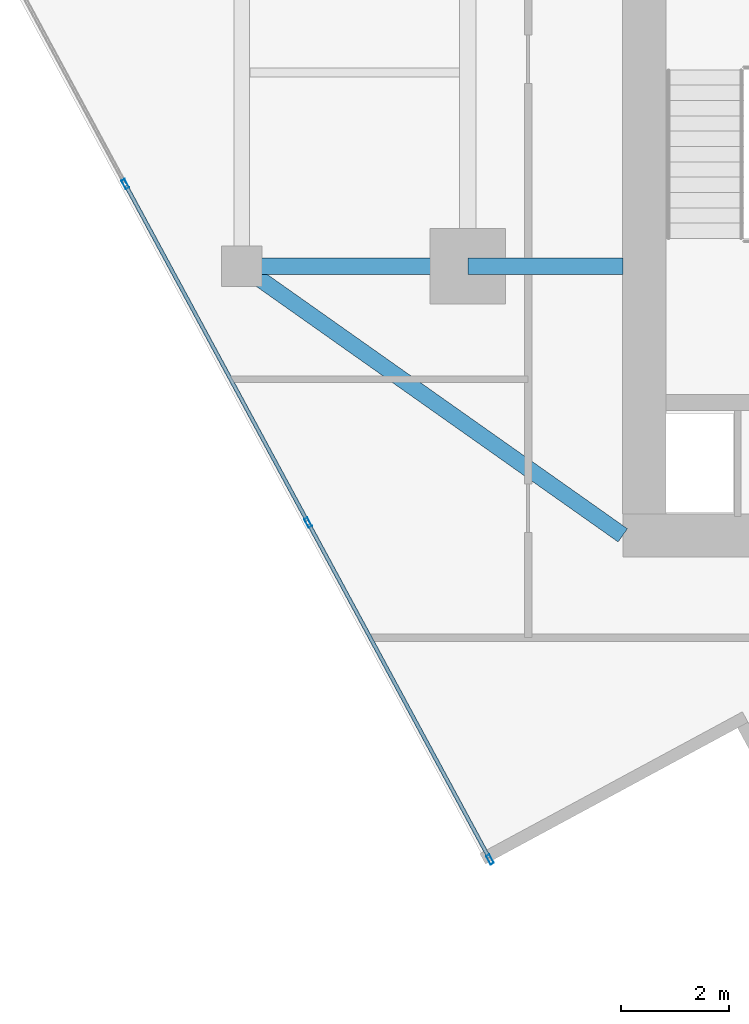
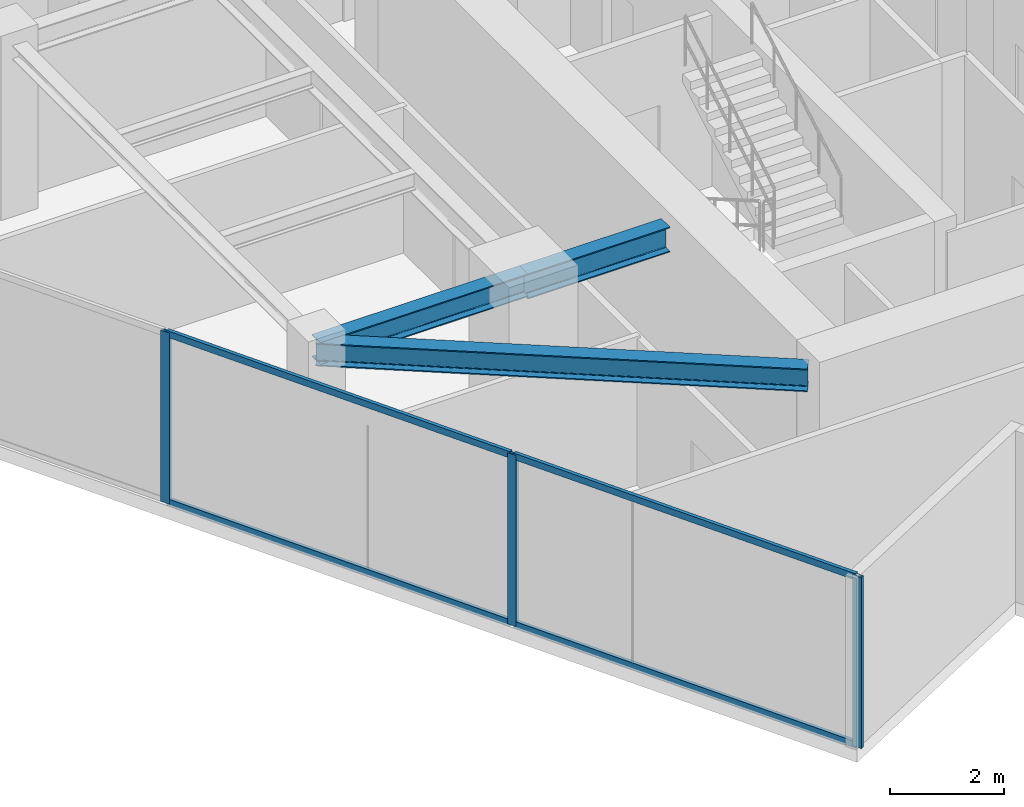
# One storey, part 2 of 22: 7 members, 3 beams, 1 element without a shape of its own.
"""IFC4 building model written with IfcOpenShell, lengths in metres."""

from ifc_helpers import new_model, si_unit, direction, frame, origin, origin_2d, place, context, subcontext, project, spatial, hollow_rectangle, i_section, extrude, source, transform, mapped, material, material_profile, profile_set, type_object, type_shapes, element, aggregate, save


model = new_model("IFC4")

# Units and contexts
model_context = context("Model", 3, precision=1e-05, world=origin(), true_north=direction((0.0, 1.0)))
body_context = subcontext(model_context, "Body", "Model", "MODEL_VIEW")
ifc_project = project(units=[si_unit("LENGTHUNIT", "METRE"), si_unit("AREAUNIT", "SQUARE_METRE"), si_unit("VOLUMEUNIT", "CUBIC_METRE"), si_unit("PLANEANGLEUNIT", "RADIAN"), si_unit("MASSUNIT", "GRAM", prefix="KILO")], contexts=[model_context])

# Site, building, storey
site_placement = place(None, origin())
site = spatial("IfcSite", under=ifc_project, at=site_placement, CompositionType="ELEMENT")
building_placement = place(site_placement, origin())
building = spatial("IfcBuilding", under=site, at=building_placement, Name="Krantzveldt Concourse Tower", CompositionType="ELEMENT")
storey_placement = place(building_placement, frame((0.0, 0.0, 302.949951171875)))
storey = spatial("IfcBuildingStorey", under=building, at=storey_placement, Name="L74", CompositionType="ELEMENT", Elevation=302.949951171875)

# Beams
ifc_material_1 = material(Name="Steel S355JR", Category="steel")
ifc_material_profile_1 = material_profile(ifc_material_1, i_section(OverallWidth=0.300048828125, OverallDepth=0.489990234375, WebThickness=0.011962890625, FlangeThickness=0.02294921875, FilletRadius=0.027099609375, at=origin_2d()), Name="Steel S355JR", Category="steel")
ifc_profile_set_1 = profile_set([ifc_material_profile_1], Name="Steel S355JR - HEA 500")
beam_type_1 = type_object("IfcBeamType", Name="BM-B-HEA500", PredefinedType="BEAM", material=ifc_profile_set_1)
shared_shape_1 = source(origin(), body_context, "Body", "SweptSolid", [
    extrude(i_section(OverallWidth=0.300048828125, OverallDepth=0.489990234375, WebThickness=0.011962890625, FlangeThickness=0.02294921875, FilletRadius=0.027099609375, at=origin_2d()), origin(), (0.0, 0.0, 1.0), 4.199951171875),
])
beam_1_placement = place(storey_placement, frame((21.0, 15.89990234375, 3.425048828125), z_axis=(1.0, 0.0, 0.0), x_axis=(0.0, 1.0, 0.0)))
element("IfcBeam", 1, at=beam_1_placement, inside=storey, type_object=beam_type_1, Name="L74 Tower Girder BR-RL1", PredefinedType="BEAM", context=body_context, shape_type="MappedRepresentation", body=[
    mapped(shared_shape_1, transform((0.0, 0.0, 0.0), x_axis=(1.0, 0.0, 0.0), y_axis=(0.0, 1.0, 0.0), z_axis=(0.0, 0.0, 1.0), scale=1.0)),
])
shared_shape_2 = source(origin(), body_context, "Body", "SweptSolid", [
    extrude(i_section(OverallWidth=0.300048828125, OverallDepth=0.489990234375, WebThickness=0.011962890625, FlangeThickness=0.02294921875, FilletRadius=0.027099609375, at=origin_2d()), origin(), (0.0, 0.0, 1.0), 8.667724609375),
])
type_shapes(beam_type_1, [shared_shape_1, shared_shape_2])
beam_2_placement = place(storey_placement, frame((21.0, 15.89990234375, 3.425048828125), z_axis=(0.81684294656, -0.576860122261, 0.0), x_axis=(0.576860122261, 0.81684294656, 0.0)))
element("IfcBeam", 2, at=beam_2_placement, inside=storey, type_object=beam_type_1, Name="L74 Tower Girder BR-CSW", PredefinedType="BEAM", context=body_context, shape_type="MappedRepresentation", body=[
    mapped(shared_shape_2, transform((0.0, 0.0, 0.0), x_axis=(1.0, 0.0, 0.0), y_axis=(0.0, 1.0, 0.0), z_axis=(0.0, 0.0, 1.0), scale=1.0)),
])
ifc_material_profile_2 = material_profile(ifc_material_1, i_section(OverallWidth=0.300048828125, OverallDepth=0.5400390625, WebThickness=0.012451171875, FlangeThickness=0.02392578125, FilletRadius=0.027099609375, at=origin_2d()), Name="Steel S355JR", Category="steel")
ifc_profile_set_2 = profile_set([ifc_material_profile_2], Name="Steel S355JR - HEA 550")
beam_type_2 = type_object("IfcBeamType", Name="BM-B-HEA550", PredefinedType="BEAM", material=ifc_profile_set_2)
shared_shape_3 = source(origin(), body_context, "Body", "SweptSolid", [
    extrude(i_section(OverallWidth=0.300048828125, OverallDepth=0.5400390625, WebThickness=0.012451171875, FlangeThickness=0.02392578125, FilletRadius=0.027099609375, at=origin_2d()), origin(), (0.0, 0.0, 1.0), 2.880126953125),
])
type_shapes(beam_type_2, [shared_shape_3])
beam_3_placement = place(storey_placement, frame((25.199951171875, 15.89990234375, 3.400146484375), z_axis=(1.0, 0.0, 0.0), x_axis=(0.0, 1.0, 0.0)))
element("IfcBeam", 3, at=beam_3_placement, inside=storey, type_object=beam_type_2, Name="L74 Tower Girder BG-CW1", PredefinedType="BEAM", context=body_context, shape_type="MappedRepresentation", body=[
    mapped(shared_shape_3, transform((0.0, 0.0, 0.0), x_axis=(1.0, 0.0, 0.0), y_axis=(0.0, 1.0, 0.0), z_axis=(0.0, 0.0, 1.0), scale=1.0)),
])

# Curtain wall, members
ifc_material_2 = material(Name="Anodised aluminium 6063-T6", Category="aluminium")
curtain_wall_type = type_object("IfcCurtainWallType", Name="CW4", PredefinedType="USERDEFINED", material=ifc_material_2)
curtain_wall_placement = place(storey_placement, origin())
curtain_wall = element("IfcCurtainWall", 4, at=curtain_wall_placement, inside=storey, type_object=curtain_wall_type, Name="CW-L74-F04", ObjectType="UNITISED CURTAIN WALL", PredefinedType="USERDEFINED")
ifc_material_profile_3 = material_profile(ifc_material_2, hollow_rectangle(XDim=0.070068359375, YDim=0.179931640625, WallThickness=0.0048828125, at=origin_2d()), Name="Anodised aluminium 6063-T6", Category="aluminium")
ifc_profile_set_3 = profile_set([ifc_material_profile_3], Name="Anodised aluminium 6063-T6 - ALU-MULL 180x70x5")
member_type_1 = type_object("IfcMemberType", Name="CW-MUL-180", PredefinedType="MULLION", material=ifc_profile_set_3)
shared_shape_4 = source(origin(), body_context, "Body", "SweptSolid", [
    extrude(hollow_rectangle(XDim=0.070068359375, YDim=0.179931640625, WallThickness=0.0048828125, at=origin_2d()), origin(), (0.0, 0.0, 1.0), 3.670166015625),
])
type_shapes(member_type_1, [shared_shape_4])
member_1_placement = place(storey_placement, frame((18.833984375, 17.427978515625, 0.0), z_axis=(0.0, 0.0, 1.0), x_axis=(0.87985605875, 0.475240271736, 0.0)))
member_1 = element("IfcMember", 5, at=member_1_placement, type_object=member_type_1, Name="CW-Z56 mullion 3", PredefinedType="MULLION", context=body_context, shape_type="MappedRepresentation", body=[
    mapped(shared_shape_4, transform((0.0, 0.0, 0.0), x_axis=(1.0, 0.0, 0.0), y_axis=(0.0, 1.0, 0.0), z_axis=(0.0, 0.0, 1.0), scale=1.0)),
])
member_2_placement = place(storey_placement, frame((22.23193359375, 11.13720703125, 0.0), z_axis=(0.0, 0.0, 1.0), x_axis=(0.87985605875, 0.475240271736, 0.0)))
member_2 = element("IfcMember", 6, at=member_2_placement, type_object=member_type_1, Name="CW-Z56 mullion 4", PredefinedType="MULLION", context=body_context, shape_type="MappedRepresentation", body=[
    mapped(shared_shape_4, transform((0.0, 0.0, 0.0), x_axis=(1.0, 0.0, 0.0), y_axis=(0.0, 1.0, 0.0), z_axis=(0.0, 0.0, 1.0), scale=1.0)),
])
member_3_placement = place(storey_placement, frame((25.61328125, 4.876953125, 0.0), z_axis=(0.0, 0.0, 1.0), x_axis=(0.87985605875, 0.475240271736, 0.0)))
member_3 = element("IfcMember", 7, at=member_3_placement, type_object=member_type_1, Name="CW-Z56 mullion 5", PredefinedType="MULLION", context=body_context, shape_type="MappedRepresentation", body=[
    mapped(shared_shape_4, transform((0.0, 0.0, 0.0), x_axis=(1.0, 0.0, 0.0), y_axis=(0.0, 1.0, 0.0), z_axis=(0.0, 0.0, 1.0), scale=1.0)),
])
ifc_material_profile_4 = material_profile(ifc_material_2, hollow_rectangle(XDim=0.070068359375, YDim=0.139892578125, WallThickness=0.0048828125, at=origin_2d()), Name="Anodised aluminium 6063-T6", Category="aluminium")
ifc_profile_set_4 = profile_set([ifc_material_profile_4], Name="Anodised aluminium 6063-T6 - ALU-TRAN 140x70x5")
member_type_2 = type_object("IfcMemberType", Name="CW-TRN-150", PredefinedType="USERDEFINED", material=ifc_profile_set_4)
shared_shape_5 = source(origin(), body_context, "Body", "SweptSolid", [
    extrude(hollow_rectangle(XDim=0.070068359375, YDim=0.139892578125, WallThickness=0.0048828125, at=origin_2d()), origin(), (0.0, 0.0, 1.0), 7.044921875),
])
member_4_placement = place(storey_placement, frame((22.24853515625, 11.106201171875, 0.03515625), z_axis=(0.475254624791, -0.879848306025, 0.0), x_axis=(0.879848306025, 0.475254624791, 0.0)))
member_4 = element("IfcMember", 8, at=member_4_placement, type_object=member_type_2, Name="CW-Z56 transom 4.1", ObjectType="TRANSOM", PredefinedType="USERDEFINED", context=body_context, shape_type="MappedRepresentation", body=[
    mapped(shared_shape_5, transform((0.0, 0.0, 0.0), x_axis=(1.0, 0.0, 0.0), y_axis=(0.0, 1.0, 0.0), z_axis=(0.0, 0.0, 1.0), scale=1.0)),
])
member_5_placement = place(storey_placement, frame((22.24853515625, 11.106201171875, 3.635009765625), z_axis=(0.475254624791, -0.879848306025, 0.0), x_axis=(0.879848306025, 0.475254624791, 0.0)))
member_5 = element("IfcMember", 9, at=member_5_placement, type_object=member_type_2, Name="CW-Z56 transom 4.2", ObjectType="TRANSOM", PredefinedType="USERDEFINED", context=body_context, shape_type="MappedRepresentation", body=[
    mapped(shared_shape_5, transform((0.0, 0.0, 0.0), x_axis=(1.0, 0.0, 0.0), y_axis=(0.0, 1.0, 0.0), z_axis=(0.0, 0.0, 1.0), scale=1.0)),
])
shared_shape_6 = source(origin(), body_context, "Body", "SweptSolid", [
    extrude(hollow_rectangle(XDim=0.070068359375, YDim=0.139892578125, WallThickness=0.0048828125, at=origin_2d()), origin(), (0.0, 0.0, 1.0), 7.079833984375),
])
type_shapes(member_type_2, [shared_shape_5, shared_shape_6])
member_6_placement = place(storey_placement, frame((18.8505859375, 17.397216796875, 0.03515625), z_axis=(0.47525303502, -0.879849164746, 0.0), x_axis=(0.879849164746, 0.47525303502, 0.0)))
member_6 = element("IfcMember", 10, at=member_6_placement, type_object=member_type_2, Name="CW-Z56 transom 3.1", ObjectType="TRANSOM", PredefinedType="USERDEFINED", context=body_context, shape_type="MappedRepresentation", body=[
    mapped(shared_shape_6, transform((0.0, 0.0, 0.0), x_axis=(1.0, 0.0, 0.0), y_axis=(0.0, 1.0, 0.0), z_axis=(0.0, 0.0, 1.0), scale=1.0)),
])
member_7_placement = place(storey_placement, frame((18.8505859375, 17.397216796875, 3.635009765625), z_axis=(0.47525303502, -0.879849164746, 0.0), x_axis=(0.879849164746, 0.47525303502, 0.0)))
member_7 = element("IfcMember", 11, at=member_7_placement, type_object=member_type_2, Name="CW-Z56 transom 3.2", ObjectType="TRANSOM", PredefinedType="USERDEFINED", context=body_context, shape_type="MappedRepresentation", body=[
    mapped(shared_shape_6, transform((0.0, 0.0, 0.0), x_axis=(1.0, 0.0, 0.0), y_axis=(0.0, 1.0, 0.0), z_axis=(0.0, 0.0, 1.0), scale=1.0)),
])
aggregate(curtain_wall, [member_1, member_2, member_3, member_6, member_7, member_4, member_5])

save(model, "model.ifc")
